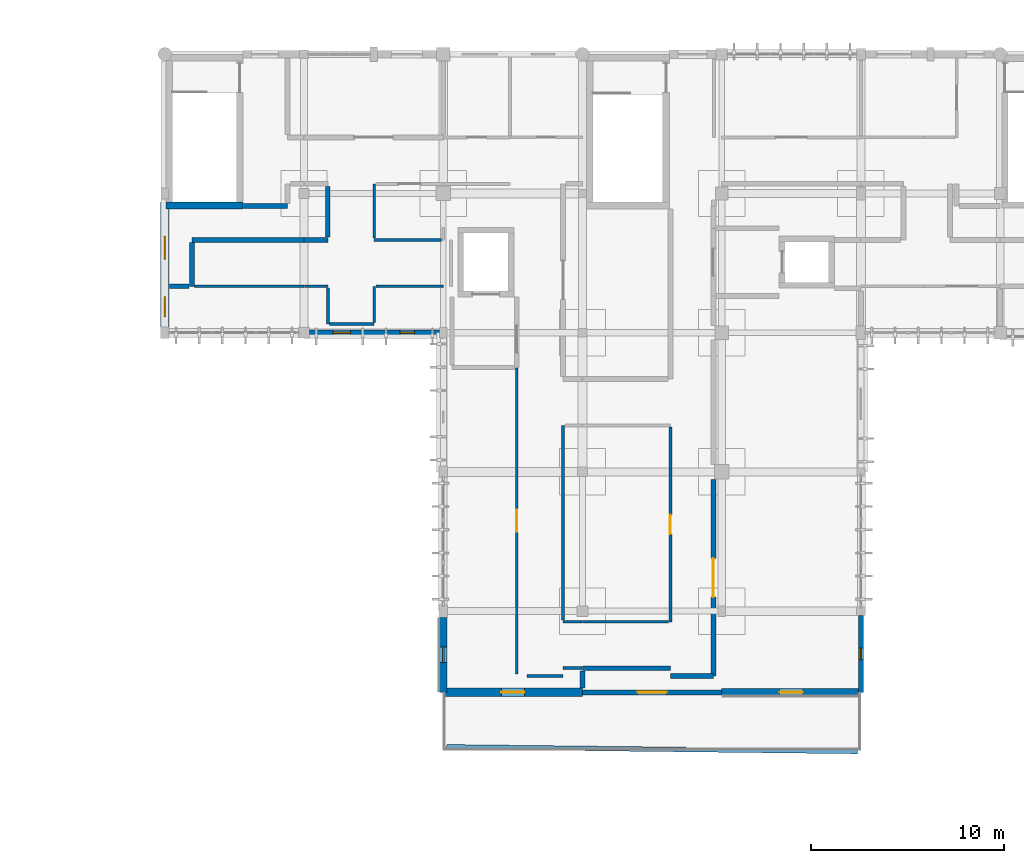
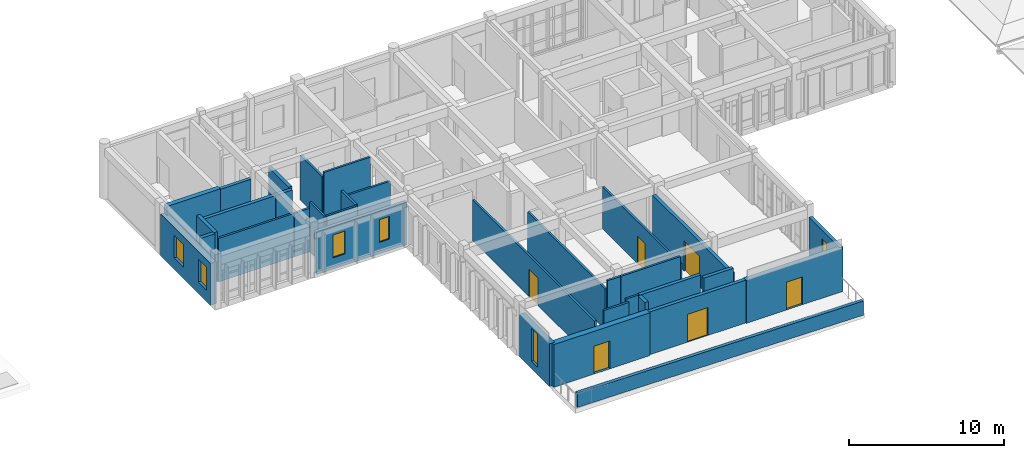
# One storey, part 14 of 19: 34 walls, 6 doors, 6 windows, 12 openings.
"""IFC4 building model written with IfcOpenShell, lengths in metres."""

from ifc_helpers import new_model, si_unit, direction, frame, frame_2d, origin, place, context, subcontext, project, spatial, rectangle, extrude, material, layer, layer_set, type_object, element, fill, save


model = new_model("IFC4")

# Units and contexts
model_context = context("Model", 3, precision=1e-05, world=origin(), true_north=direction((0.0, 1.0)))
body_context = subcontext(model_context, "Body", "Model", "MODEL_VIEW")
ifc_project = project(units=[si_unit("LENGTHUNIT", "METRE"), si_unit("AREAUNIT", "SQUARE_METRE"), si_unit("VOLUMEUNIT", "CUBIC_METRE"), si_unit("PLANEANGLEUNIT", "RADIAN"), si_unit("MASSUNIT", "GRAM", prefix="KILO")], contexts=[model_context])

# Site, building, storey
site_placement = place(None, origin())
site = spatial("IfcSite", under=ifc_project, at=site_placement, CompositionType="ELEMENT")
building_placement = place(site_placement, origin())
building = spatial("IfcBuilding", under=site, at=building_placement, Name="Steenspoor Specialist Clinic", CompositionType="ELEMENT")
storey_placement = place(building_placement, frame((0.0, 0.0, 21.60009765625)))
storey = spatial("IfcBuildingStorey", under=building, at=storey_placement, Name="L05", CompositionType="ELEMENT", Elevation=21.60009765625)

# Wall, opening, door
ifc_material_1 = material(Name="Extruded clay brick masonry", Category="masonry")
ifc_layer_1 = layer(ifc_material_1, 0.3798828125)
ifc_layer_set_1 = layer_set([ifc_layer_1], Name="Extruded clay brick masonry")
wall_type_1 = type_object("IfcWallType", Name="W-BRICK-380", PredefinedType="USERDEFINED", material=ifc_layer_set_1)
wall_1_placement = place(storey_placement, frame((95.60009765625, 75.35009765625, 0.0), z_axis=(0.0, 0.0, 1.0), x_axis=(-1.0, 0.0, 0.0)))
wall_1 = element("IfcWall", 1, at=wall_1_placement, inside=storey, type_object=wall_type_1, Name="Exterior Brick Wall EW-V4-L05-0213", ObjectType="CAVITY VENEER", PredefinedType="USERDEFINED", context=body_context, shape_type="SweptSolid", body=[
    extrude(rectangle(XDim=7.2001953125, YDim=0.3798828125, at=frame_2d((3.60009765625, 0.0))), origin(), (0.0, 0.0, 1.0), 3.3798828125),
])
opening_1_placement = place(wall_1_placement, frame((3.0, 0.0, 0.0)))
opening_1 = element("IfcOpeningElement", 2, at=opening_1_placement, cuts=wall_1, Name="Opening ED29", PredefinedType="OPENING", context=body_context, shape_type="SweptSolid", body=[
    extrude(rectangle(XDim=1.199951171875, YDim=2.199951171875, at=frame_2d((0.60009765625, 1.10009765625))), frame((0.0, 0.199951171875, 0.0), z_axis=(0.0, -1.0, 0.0), x_axis=(1.0, 0.0, 0.0)), (0.0, 0.0, 1.0), 0.39990234375),
])
ifc_material_2 = material(Name="Anodised aluminium and safety glass", Category="aluminium")
door_type_1 = type_object("IfcDoorType", Name="DT-TERR-120X220", OperationType="NOTDEFINED", PredefinedType="DOOR", material=ifc_material_2)
door_1_placement = place(opening_1_placement, origin())
door_1 = element("IfcDoor", 3, at=door_1_placement, inside=storey, type_object=door_type_1, Name="Roof Terrace Door ED29", OperationType="SINGLE_SWING_RIGHT", OverallHeight=2.199951171875, OverallWidth=1.199951171875, PredefinedType="DOOR", context=body_context, shape_type="SweptSolid", body=[
    extrude(rectangle(XDim=1.199951171875, YDim=2.199951171875, at=frame_2d((0.60009765625, 1.10009765625))), frame((0.0, 0.02490234375, 0.0), z_axis=(0.0, -1.0, 0.0), x_axis=(1.0, 0.0, 0.0)), (0.0, 0.0, 1.0), 0.050048828125),
])
fill(opening_1, door_1)

# Wall, opening, window
ifc_layer_2 = layer(ifc_material_1, 0.409912109375)
ifc_layer_set_2 = layer_set([ifc_layer_2], Name="Extruded clay brick masonry")
wall_type_2 = type_object("IfcWallType", Name="W-BRICK-410", PredefinedType="USERDEFINED", material=ifc_layer_set_2)
wall_2_placement = place(storey_placement, frame((74.0, 75.35009765625, 0.0), z_axis=(0.0, 0.0, 1.0), x_axis=(0.0, 1.0, 0.0)))
wall_2 = element("IfcWall", 4, at=wall_2_placement, inside=storey, type_object=wall_type_2, Name="Exterior Brick Wall EW-V4-L05-0216", ObjectType="CAVITY VENEER", PredefinedType="USERDEFINED", context=body_context, shape_type="SweptSolid", body=[
    extrude(rectangle(XDim=3.875, YDim=0.409912109375, at=frame_2d((1.9375, 0.0))), origin(), (0.0, 0.0, 1.0), 3.3798828125),
])
opening_2_placement = place(wall_2_placement, frame((1.53759765625, 0.0, 0.60009765625)))
opening_2 = element("IfcOpeningElement", 5, at=opening_2_placement, cuts=wall_2, Name="Opening WN-24", PredefinedType="OPENING", context=body_context, shape_type="SweptSolid", body=[
    extrude(rectangle(XDim=0.800048828125, YDim=2.60009765625, at=frame_2d((0.39990234375, 1.300048828125))), frame((0.0, 0.21484375, 0.0), z_axis=(0.0, -1.0, 0.0), x_axis=(1.0, 0.0, 0.0)), (0.0, 0.0, 1.0), 0.429931640625),
])
ifc_material_3 = material(Name="Thermally broken aluminium and low-emissivity glass", Category="aluminium")
window_type_1 = type_object("IfcWindowType", Name="WN-EXT-080X260", PartitioningType="SINGLE_PANEL", PredefinedType="WINDOW", material=ifc_material_3)
window_1_placement = place(opening_2_placement, origin())
window_1 = element("IfcWindow", 6, at=window_1_placement, inside=storey, type_object=window_type_1, Name="Window 0235", OverallHeight=2.60009765625, OverallWidth=0.800048828125, PartitioningType="SINGLE_PANEL", PredefinedType="WINDOW", context=body_context, shape_type="SweptSolid", body=[
    extrude(rectangle(XDim=0.800048828125, YDim=2.60009765625, at=frame_2d((0.39990234375, 1.300048828125))), frame((0.0, 0.030029296875, 0.0), z_axis=(0.0, -1.0, 0.0), x_axis=(1.0, 0.0, 0.0)), (0.0, 0.0, 1.0), 0.06005859375),
])
fill(opening_2, window_1)

# Wall, opening, door
ifc_layer_3 = layer(ifc_material_1, 0.43994140625)
ifc_layer_set_3 = layer_set([ifc_layer_3], Name="Extruded clay brick masonry")
wall_type_3 = type_object("IfcWallType", Name="W-BRICK-440", PredefinedType="USERDEFINED", material=ifc_layer_set_3)
wall_3_placement = place(storey_placement, frame((81.199951171875, 75.35009765625, 0.0), z_axis=(0.0, 0.0, 1.0), x_axis=(-1.0, 0.0, 0.0)))
wall_3 = element("IfcWall", 7, at=wall_3_placement, inside=storey, type_object=wall_type_3, Name="Exterior Brick Wall EW-V4-L05-0215", ObjectType="CAVITY VENEER", PredefinedType="USERDEFINED", context=body_context, shape_type="SweptSolid", body=[
    extrude(rectangle(XDim=7.199951171875, YDim=0.43994140625, at=frame_2d((3.60009765625, 0.0))), origin(), (0.0, 0.0, 1.0), 3.3798828125),
])
opening_3_placement = place(wall_3_placement, frame((3.0, 0.0, 0.0)))
opening_3 = element("IfcOpeningElement", 8, at=opening_3_placement, cuts=wall_3, Name="Opening ED31", PredefinedType="OPENING", context=body_context, shape_type="SweptSolid", body=[
    extrude(rectangle(XDim=1.199951171875, YDim=2.199951171875, at=frame_2d((0.60009765625, 1.10009765625))), frame((0.0, 0.22998046875, 0.0), z_axis=(0.0, -1.0, 0.0), x_axis=(1.0, 0.0, 0.0)), (0.0, 0.0, 1.0), 0.4599609375),
])
door_2_placement = place(opening_3_placement, origin())
door_2 = element("IfcDoor", 9, at=door_2_placement, inside=storey, type_object=door_type_1, Name="Roof Terrace Door ED31", OperationType="SINGLE_SWING_RIGHT", OverallHeight=2.199951171875, OverallWidth=1.199951171875, PredefinedType="DOOR", context=body_context, shape_type="SweptSolid", body=[
    extrude(rectangle(XDim=1.199951171875, YDim=2.199951171875, at=frame_2d((0.60009765625, 1.10009765625))), frame((0.0, 0.02490234375, 0.0), z_axis=(0.0, -1.0, 0.0), x_axis=(1.0, 0.0, 0.0)), (0.0, 0.0, 1.0), 0.050048828125),
])
fill(opening_3, door_2)

# Wall, openings, windows
wall_4_placement = place(storey_placement, frame((59.60009765625, 94.25, 0.0), z_axis=(0.0, 0.0, 1.0), x_axis=(0.0, 1.0, 0.0)))
wall_4 = element("IfcWall", 10, at=wall_4_placement, inside=storey, type_object=wall_type_3, Name="Exterior Brick Wall EW-V4-L05-0219", ObjectType="CAVITY VENEER", PredefinedType="USERDEFINED", context=body_context, shape_type="SweptSolid", body=[
    extrude(rectangle(XDim=6.449951171875, YDim=0.43994140625, at=frame_2d((3.22509765625, 0.0))), origin(), (0.0, 0.0, 1.0), 3.31982421875),
])
opening_4_placement = place(wall_4_placement, frame((0.514892578125, 0.0, 0.89990234375)))
opening_4 = element("IfcOpeningElement", 11, at=opening_4_placement, cuts=wall_4, Name="Opening WN-04", PredefinedType="OPENING", context=body_context, shape_type="SweptSolid", body=[
    extrude(rectangle(XDim=1.050048828125, YDim=1.800048828125, at=frame_2d((0.52490234375, 0.89990234375))), frame((0.0, 0.22998046875, 0.0), z_axis=(0.0, -1.0, 0.0), x_axis=(1.0, 0.0, 0.0)), (0.0, 0.0, 1.0), 0.4599609375),
])
opening_5_placement = place(wall_4_placement, frame((3.5, 0.0, 0.89990234375)))
opening_5 = element("IfcOpeningElement", 12, at=opening_5_placement, cuts=wall_4, Name="Opening WN-05", PredefinedType="OPENING", context=body_context, shape_type="SweptSolid", body=[
    extrude(rectangle(XDim=1.199951171875, YDim=1.800048828125, at=frame_2d((0.60009765625, 0.89990234375))), frame((0.0, 0.22998046875, 0.0), z_axis=(0.0, -1.0, 0.0), x_axis=(1.0, 0.0, 0.0)), (0.0, 0.0, 1.0), 0.4599609375),
])
window_type_2 = type_object("IfcWindowType", Name="WN-EXT-105X180", PartitioningType="SINGLE_PANEL", PredefinedType="WINDOW", material=ifc_material_3)
window_2_placement = place(opening_4_placement, origin())
window_2 = element("IfcWindow", 13, at=window_2_placement, inside=storey, type_object=window_type_2, Name="Window 0239", OverallHeight=1.800048828125, OverallWidth=1.050048828125, PartitioningType="SINGLE_PANEL", PredefinedType="WINDOW", context=body_context, shape_type="SweptSolid", body=[
    extrude(rectangle(XDim=1.050048828125, YDim=1.800048828125, at=frame_2d((0.52490234375, 0.89990234375))), frame((0.0, 0.030029296875, 0.0), z_axis=(0.0, -1.0, 0.0), x_axis=(1.0, 0.0, 0.0)), (0.0, 0.0, 1.0), 0.06005859375),
])
fill(opening_4, window_2)
window_type_3 = type_object("IfcWindowType", Name="WN-EXT-120X180", PartitioningType="SINGLE_PANEL", PredefinedType="WINDOW", material=ifc_material_3)
window_3_placement = place(opening_5_placement, origin())
window_3 = element("IfcWindow", 14, at=window_3_placement, inside=storey, type_object=window_type_3, Name="Window 0240", OverallHeight=1.800048828125, OverallWidth=1.199951171875, PartitioningType="SINGLE_PANEL", PredefinedType="WINDOW", context=body_context, shape_type="SweptSolid", body=[
    extrude(rectangle(XDim=1.199951171875, YDim=1.800048828125, at=frame_2d((0.60009765625, 0.89990234375))), frame((0.0, 0.030029296875, 0.0), z_axis=(0.0, -1.0, 0.0), x_axis=(1.0, 0.0, 0.0)), (0.0, 0.0, 1.0), 0.06005859375),
])
fill(opening_5, window_3)

# Walls
ifc_material_4 = material(Name="Gypsum acoustic clinical partition", Category="gypsum")
ifc_layer_4 = layer(ifc_material_4, 0.14990234375)
ifc_layer_set_4 = layer_set([ifc_layer_4], Name="Gypsum acoustic clinical partition")
wall_type_4 = type_object("IfcWallType", Name="W-CLIN-150", PredefinedType="PARTITIONING", material=ifc_layer_set_4)
wall_5_placement = place(storey_placement, frame((78.320068359375, 76.199951171875, 0.0), z_axis=(0.0, 0.0, 1.0), x_axis=(1.0, 0.0, 0.0)))
element("IfcWall", 15, at=wall_5_placement, inside=storey, type_object=wall_type_4, Name="Interior Partition IW-V4-L05-1972", PredefinedType="PARTITIONING", context=body_context, shape_type="SweptSolid", body=[
    extrude(rectangle(XDim=1.8798828125, YDim=0.14990234375, at=frame_2d((0.93994140625, 0.0))), origin(), (0.0, 0.0, 1.0), 3.949951171875),
])
wall_6_placement = place(storey_placement, frame((80.199951171875, 76.60009765625, 0.0), z_axis=(0.0, 0.0, 1.0), x_axis=(1.0, 0.0, 0.0)))
element("IfcWall", 16, at=wall_6_placement, inside=storey, type_object=wall_type_4, Name="Interior Partition IW-V4-L05-1973", PredefinedType="PARTITIONING", context=body_context, shape_type="SweptSolid", body=[
    extrude(rectangle(XDim=0.985107421875, YDim=0.14990234375, at=frame_2d((0.49267578125, 0.0))), origin(), (0.0, 0.0, 1.0), 3.949951171875),
])
wall_7_placement = place(storey_placement, frame((61.139892578125, 96.35009765625, 0.0), z_axis=(0.0, 0.0, 1.0), x_axis=(1.0, 0.0, 0.0)))
element("IfcWall", 17, at=wall_7_placement, inside=storey, type_object=wall_type_4, Name="Interior Partition IW-V4-L05-1974", PredefinedType="PARTITIONING", context=body_context, shape_type="SweptSolid", body=[
    extrude(rectangle(XDim=5.66015625, YDim=0.14990234375, at=frame_2d((2.830078125, 0.0))), origin(), (0.0, 0.0, 1.0), 3.43994140625),
])
wall_8_placement = place(storey_placement, frame((66.81494140625, 96.35009765625, 0.0), z_axis=(0.0, 0.0, 1.0), x_axis=(1.0, 0.0, 0.0)))
element("IfcWall", 18, at=wall_8_placement, inside=storey, type_object=wall_type_4, Name="Interior Partition IW-V4-L05-1975", PredefinedType="PARTITIONING", context=body_context, shape_type="SweptSolid", body=[
    extrude(rectangle(XDim=1.215087890625, YDim=0.14990234375, at=frame_2d((0.607421875, 0.0))), origin(), (0.0, 0.0, 1.0), 3.43994140625),
])
wall_9_placement = place(storey_placement, frame((68.030029296875, 94.39990234375, 0.0), z_axis=(0.0, 0.0, 1.0), x_axis=(0.0, 1.0, 0.0)))
element("IfcWall", 19, at=wall_9_placement, inside=storey, type_object=wall_type_4, Name="Interior Partition IW-V4-L05-1976", PredefinedType="PARTITIONING", context=body_context, shape_type="SweptSolid", body=[
    extrude(rectangle(XDim=1.860107421875, YDim=0.14990234375, at=frame_2d((0.93017578125, 0.0))), origin(), (0.0, 0.0, 1.0), 3.949951171875),
])
wall_10_placement = place(storey_placement, frame((68.1201171875, 94.39990234375, 0.0), z_axis=(0.0, 0.0, 1.0), x_axis=(1.0, 0.0, 0.0)))
element("IfcWall", 20, at=wall_10_placement, inside=storey, type_object=wall_type_4, Name="Interior Partition IW-V4-L05-1977", PredefinedType="PARTITIONING", context=body_context, shape_type="SweptSolid", body=[
    extrude(rectangle(XDim=2.309814453125, YDim=0.14990234375, at=frame_2d((1.15478515625, 0.0))), origin(), (0.0, 0.0, 1.0), 3.949951171875),
])
wall_11_placement = place(storey_placement, frame((70.429931640625, 94.489990234375, 0.0), z_axis=(0.0, 0.0, 1.0), x_axis=(0.0, 1.0, 0.0)))
element("IfcWall", 21, at=wall_11_placement, inside=storey, type_object=wall_type_4, Name="Interior Partition IW-V4-L05-1978", PredefinedType="PARTITIONING", context=body_context, shape_type="SweptSolid", body=[
    extrude(rectangle(XDim=1.860107421875, YDim=0.14990234375, at=frame_2d((0.93017578125, 0.0))), origin(), (0.0, 0.0, 1.0), 3.949951171875),
])
wall_12_placement = place(storey_placement, frame((70.52001953125, 96.35009765625, 0.0), z_axis=(0.0, 0.0, 1.0), x_axis=(1.0, 0.0, 0.0)))
element("IfcWall", 22, at=wall_12_placement, inside=storey, type_object=wall_type_4, Name="Interior Partition IW-V4-L05-1979", PredefinedType="PARTITIONING", context=body_context, shape_type="SweptSolid", body=[
    extrude(rectangle(XDim=3.47998046875, YDim=0.14990234375, at=frame_2d((1.739990234375, 0.0))), origin(), (0.0, 0.0, 1.0), 3.469970703125),
])

# Wall, opening, door
wall_13_placement = place(storey_placement, frame((77.800048828125, 76.31005859375, 0.0), z_axis=(0.0, 0.0, 1.0), x_axis=(0.0, 1.0, 0.0)))
wall_13 = element("IfcWall", 23, at=wall_13_placement, inside=storey, type_object=wall_type_4, Name="Interior Partition IW-V4-L05-1982", PredefinedType="PARTITIONING", context=body_context, shape_type="SweptSolid", body=[
    extrude(rectangle(XDim=15.824951171875, YDim=0.14990234375, at=frame_2d((7.91259765625, 0.0))), origin(), (0.0, 0.0, 1.0), 3.219970703125),
])
opening_6_placement = place(wall_13_placement, frame((7.33740234375, 0.0, 0.0)))
opening_6 = element("IfcOpeningElement", 24, at=opening_6_placement, cuts=wall_13, Name="Opening D0309", PredefinedType="OPENING", context=body_context, shape_type="SweptSolid", body=[
    extrude(rectangle(XDim=1.14990234375, YDim=2.14990234375, at=frame_2d((0.574951171875, 1.074951171875))), frame((0.0, 0.0849609375, 0.0), z_axis=(0.0, -1.0, 0.0), x_axis=(1.0, 0.0, 0.0)), (0.0, 0.0, 1.0), 0.169921875),
])
ifc_material_5 = material(Name="Solid-core hardwood clinical door", Category="wood")
door_type_2 = type_object("IfcDoorType", Name="DT-CONS-115X215", OperationType="NOTDEFINED", PredefinedType="DOOR", material=ifc_material_5)
door_3_placement = place(opening_6_placement, origin())
door_3 = element("IfcDoor", 25, at=door_3_placement, inside=storey, type_object=door_type_2, Name="Clinical Door D0309", OperationType="SINGLE_SWING_RIGHT", OverallHeight=2.14990234375, OverallWidth=1.14990234375, PredefinedType="DOOR", context=body_context, shape_type="SweptSolid", body=[
    extrude(rectangle(XDim=1.14990234375, YDim=2.14990234375, at=frame_2d((0.574951171875, 1.074951171875))), frame((0.0, 0.02490234375, 0.0), z_axis=(0.0, -1.0, 0.0), x_axis=(1.0, 0.0, 0.0)), (0.0, 0.0, 1.0), 0.050048828125),
])
fill(opening_6, door_3)

wall_14_placement = place(storey_placement, frame((85.75, 79.0, 0.0), z_axis=(0.0, 0.0, 1.0), x_axis=(0.0, 1.0, 0.0)))
wall_14 = element("IfcWall", 26, at=wall_14_placement, inside=storey, type_object=wall_type_4, Name="Interior Partition IW-V4-L05-1984", PredefinedType="PARTITIONING", context=body_context, shape_type="SweptSolid", body=[
    extrude(rectangle(XDim=10.06005859375, YDim=0.14990234375, at=frame_2d((5.030029296875, 0.0))), origin(), (0.0, 0.0, 1.0), 3.31982421875),
])
opening_7_placement = place(wall_14_placement, frame((4.530029296875, 0.0, 0.0)))
opening_7 = element("IfcOpeningElement", 27, at=opening_7_placement, cuts=wall_14, Name="Opening D0311", PredefinedType="OPENING", context=body_context, shape_type="SweptSolid", body=[
    extrude(rectangle(XDim=1.0, YDim=2.14990234375, at=frame_2d((0.5, 1.074951171875))), frame((0.0, 0.0849609375, 0.0), z_axis=(0.0, -1.0, 0.0), x_axis=(1.0, 0.0, 0.0)), (0.0, 0.0, 1.0), 0.169921875),
])
ifc_material_6 = material(Name="Moisture-resistant HPL accessible WC door", Category="wood")
door_type_3 = type_object("IfcDoorType", Name="DT-AWC-100X215", OperationType="NOTDEFINED", PredefinedType="DOOR", material=ifc_material_6)
door_4_placement = place(opening_7_placement, origin())
door_4 = element("IfcDoor", 28, at=door_4_placement, inside=storey, type_object=door_type_3, Name="Clinical Door D0311", OperationType="SINGLE_SWING_RIGHT", OverallHeight=2.14990234375, OverallWidth=1.0, PredefinedType="DOOR", context=body_context, shape_type="SweptSolid", body=[
    extrude(rectangle(XDim=1.0, YDim=2.14990234375, at=frame_2d((0.5, 1.074951171875))), frame((0.0, 0.02490234375, 0.0), z_axis=(0.0, -1.0, 0.0), x_axis=(1.0, 0.0, 0.0)), (0.0, 0.0, 1.0), 0.050048828125),
])
fill(opening_7, door_4)

# Walls
wall_15_placement = place(storey_placement, frame((81.199951171875, 79.0, 0.0), z_axis=(0.0, 0.0, 1.0), x_axis=(1.0, 0.0, 0.0)))
element("IfcWall", 29, at=wall_15_placement, inside=storey, type_object=wall_type_4, Name="Interior Partition IW-V4-L05-1985", PredefinedType="PARTITIONING", context=body_context, shape_type="SweptSolid", body=[
    extrude(rectangle(XDim=4.4599609375, YDim=0.14990234375, at=frame_2d((2.22998046875, 0.0))), origin(), (0.0, 0.0, 1.0), 3.949951171875),
])
wall_16_placement = place(storey_placement, frame((80.199951171875, 79.0, 0.0), z_axis=(0.0, 0.0, 1.0), x_axis=(1.0, 0.0, 0.0)))
element("IfcWall", 30, at=wall_16_placement, inside=storey, type_object=wall_type_4, Name="Interior Partition IW-V4-L05-1986", PredefinedType="PARTITIONING", context=body_context, shape_type="SweptSolid", body=[
    extrude(rectangle(XDim=0.985107421875, YDim=0.14990234375, at=frame_2d((0.49267578125, 0.0))), origin(), (0.0, 0.0, 1.0), 3.949951171875),
])
wall_17_placement = place(storey_placement, frame((80.199951171875, 79.090087890625, 0.0), z_axis=(0.0, 0.0, 1.0), x_axis=(0.0, 1.0, 0.0)))
element("IfcWall", 31, at=wall_17_placement, inside=storey, type_object=wall_type_4, Name="Interior Partition IW-V4-L05-1987", PredefinedType="PARTITIONING", context=body_context, shape_type="SweptSolid", body=[
    extrude(rectangle(XDim=10.059814453125, YDim=0.14990234375, at=frame_2d((5.02978515625, 0.0))), origin(), (0.0, 0.0, 1.0), 3.219970703125),
])
wall_18_placement = place(storey_placement, frame((70.429931640625, 98.75, 0.0), z_axis=(0.0, 0.0, 1.0), x_axis=(1.0, 0.0, 0.0)))
element("IfcWall", 32, at=wall_18_placement, inside=storey, type_object=wall_type_4, Name="Interior Partition IW-V4-L05-1991", PredefinedType="PARTITIONING", context=body_context, shape_type="SweptSolid", body=[
    extrude(rectangle(XDim=3.47998046875, YDim=0.14990234375, at=frame_2d((1.739990234375, 0.0))), origin(), (0.0, 0.0, 1.0), 3.949951171875),
])
wall_19_placement = place(storey_placement, frame((70.429931640625, 98.840087890625, 0.0), z_axis=(0.0, 0.0, 1.0), x_axis=(0.0, 1.0, 0.0)))
element("IfcWall", 33, at=wall_19_placement, inside=storey, type_object=wall_type_4, Name="Interior Partition IW-V4-L05-1992", PredefinedType="PARTITIONING", context=body_context, shape_type="SweptSolid", body=[
    extrude(rectangle(XDim=2.809814453125, YDim=0.14990234375, at=frame_2d((1.40478515625, 0.0))), origin(), (0.0, 0.0, 1.0), 3.539794921875),
])
ifc_layer_5 = layer(ifc_material_1, 0.239990234375)
ifc_layer_set_5 = layer_set([ifc_layer_5], Name="Extruded clay brick masonry")
wall_type_5 = type_object("IfcWallType", Name="W-PARAPET-240", PredefinedType="PARAPET", material=ifc_layer_set_5)
wall_20_placement = place(storey_placement, frame((74.179931640625, 72.530029296875, 0.0), z_axis=(0.0, 0.0, 1.0), x_axis=(0.999936172632, -0.011298259264, 0.0)))
element("IfcWall", 34, at=wall_20_placement, inside=storey, type_object=wall_type_5, Name="Terrace Brick Parapet V4 L05 1", PredefinedType="PARAPET", context=body_context, shape_type="SweptSolid", body=[
    extrude(rectangle(XDim=21.241455078125, YDim=0.239990234375, at=frame_2d((10.62060546875, 0.0))), origin(), (0.0, 0.0, 1.0), 1.119873046875),
])

# Wall, opening, door
ifc_layer_6 = layer(ifc_material_1, 0.260009765625)
ifc_layer_set_6 = layer_set([ifc_layer_6], Name="Extruded clay brick masonry")
wall_type_6 = type_object("IfcWallType", Name="W-SCREEN-260", PredefinedType="SOLIDWALL", material=ifc_layer_set_6)
wall_21_placement = place(storey_placement, frame((88.39990234375, 75.35009765625, 0.0), z_axis=(0.0, 0.0, 1.0), x_axis=(-1.0, 0.0, 0.0)))
wall_21 = element("IfcWall", 35, at=wall_21_placement, inside=storey, type_object=wall_type_6, Name="Exterior Brick Wall EW-V4-L05-0214", PredefinedType="SOLIDWALL", context=body_context, shape_type="SweptSolid", body=[
    extrude(rectangle(XDim=7.199951171875, YDim=0.260009765625, at=frame_2d((3.60009765625, 0.0))), origin(), (0.0, 0.0, 1.0), 3.3798828125),
])
opening_8_placement = place(wall_21_placement, frame((2.85009765625, 0.0, 0.0)))
opening_8 = element("IfcOpeningElement", 36, at=opening_8_placement, cuts=wall_21, Name="Opening ED30", PredefinedType="OPENING", context=body_context, shape_type="SweptSolid", body=[
    extrude(rectangle(XDim=1.5, YDim=2.199951171875, at=frame_2d((0.75, 1.10009765625))), frame((0.0, 0.14013671875, 0.0), z_axis=(0.0, -1.0, 0.0), x_axis=(1.0, 0.0, 0.0)), (0.0, 0.0, 1.0), 0.280029296875),
])
door_type_4 = type_object("IfcDoorType", Name="DT-TERR-150X220", OperationType="NOTDEFINED", PredefinedType="DOOR", material=ifc_material_2)
door_5_placement = place(opening_8_placement, origin())
door_5 = element("IfcDoor", 37, at=door_5_placement, inside=storey, type_object=door_type_4, Name="Roof Terrace Door ED30", OperationType="SINGLE_SWING_LEFT", OverallHeight=2.199951171875, OverallWidth=1.5, PredefinedType="DOOR", context=body_context, shape_type="SweptSolid", body=[
    extrude(rectangle(XDim=1.5, YDim=2.199951171875, at=frame_2d((0.75, 1.10009765625))), frame((0.0, 0.02490234375, 0.0), z_axis=(0.0, -1.0, 0.0), x_axis=(1.0, 0.0, 0.0)), (0.0, 0.0, 1.0), 0.050048828125),
])
fill(opening_8, door_5)

# Wall, openings, windows
wall_22_placement = place(storey_placement, frame((73.800048828125, 93.949951171875, 0.0), z_axis=(0.0, 0.0, 1.0), x_axis=(-1.0, 0.0, 0.0)))
wall_22 = element("IfcWall", 38, at=wall_22_placement, inside=storey, type_object=wall_type_6, Name="Exterior Brick Wall EW-V4-L05-0218", PredefinedType="SOLIDWALL", context=body_context, shape_type="SweptSolid", body=[
    extrude(rectangle(XDim=6.72509765625, YDim=0.260009765625, at=frame_2d((3.362548828125, 0.0))), origin(), (0.0, 0.0, 1.0), 3.369873046875),
])
opening_9_placement = place(wall_22_placement, frame((1.300048828125, 0.0, 0.89990234375)))
opening_9 = element("IfcOpeningElement", 39, at=opening_9_placement, cuts=wall_22, Name="Opening WN-02", PredefinedType="OPENING", context=body_context, shape_type="SweptSolid", body=[
    extrude(rectangle(XDim=0.75, YDim=1.800048828125, at=frame_2d((0.375, 0.89990234375))), frame((0.0, 0.14013671875, 0.0), z_axis=(0.0, -1.0, 0.0), x_axis=(1.0, 0.0, 0.0)), (0.0, 0.0, 1.0), 0.280029296875),
])
opening_10_placement = place(wall_22_placement, frame((4.607421875, 0.0, 0.89990234375)))
opening_10 = element("IfcOpeningElement", 40, at=opening_10_placement, cuts=wall_22, Name="Opening WN-03", PredefinedType="OPENING", context=body_context, shape_type="SweptSolid", body=[
    extrude(rectangle(XDim=0.89990234375, YDim=1.800048828125, at=frame_2d((0.449951171875, 0.89990234375))), frame((0.0, 0.14013671875, 0.0), z_axis=(0.0, -1.0, 0.0), x_axis=(1.0, 0.0, 0.0)), (0.0, 0.0, 1.0), 0.280029296875),
])
window_type_4 = type_object("IfcWindowType", Name="WN-EXT-075X180", PartitioningType="SINGLE_PANEL", PredefinedType="WINDOW", material=ifc_material_3)
window_4_placement = place(opening_9_placement, origin())
window_4 = element("IfcWindow", 41, at=window_4_placement, inside=storey, type_object=window_type_4, Name="Window 0237", OverallHeight=1.800048828125, OverallWidth=0.75, PartitioningType="SINGLE_PANEL", PredefinedType="WINDOW", context=body_context, shape_type="SweptSolid", body=[
    extrude(rectangle(XDim=0.75, YDim=1.800048828125, at=frame_2d((0.375, 0.89990234375))), frame((0.0, 0.030029296875, 0.0), z_axis=(0.0, -1.0, 0.0), x_axis=(1.0, 0.0, 0.0)), (0.0, 0.0, 1.0), 0.06005859375),
])
fill(opening_9, window_4)
window_type_5 = type_object("IfcWindowType", Name="WN-EXT-090X180", PartitioningType="SINGLE_PANEL", PredefinedType="WINDOW", material=ifc_material_3)
window_5_placement = place(opening_10_placement, origin())
window_5 = element("IfcWindow", 42, at=window_5_placement, inside=storey, type_object=window_type_5, Name="Window 0238", OverallHeight=1.800048828125, OverallWidth=0.89990234375, PartitioningType="SINGLE_PANEL", PredefinedType="WINDOW", context=body_context, shape_type="SweptSolid", body=[
    extrude(rectangle(XDim=0.89990234375, YDim=1.800048828125, at=frame_2d((0.449951171875, 0.89990234375))), frame((0.0, 0.030029296875, 0.0), z_axis=(0.0, -1.0, 0.0), x_axis=(1.0, 0.0, 0.0)), (0.0, 0.0, 1.0), 0.06005859375),
])
fill(opening_10, window_5)

# Wall, opening, window
wall_23_placement = place(storey_placement, frame((95.60009765625, 79.324951171875, 0.0), z_axis=(0.0, 0.0, 1.0), x_axis=(0.0, -1.0, 0.0)))
wall_23 = element("IfcWall", 43, at=wall_23_placement, inside=storey, type_object=wall_type_6, Name="Exterior Brick Wall EW-V4-L05-0230", PredefinedType="SOLIDWALL", context=body_context, shape_type="SweptSolid", body=[
    extrude(rectangle(XDim=3.974853515625, YDim=0.260009765625, at=frame_2d((1.9873046875, 0.0))), origin(), (0.0, 0.0, 1.0), 3.3798828125),
])
opening_11_placement = place(wall_23_placement, frame((1.6875, 0.0, 0.89990234375)))
opening_11 = element("IfcOpeningElement", 44, at=opening_11_placement, cuts=wall_23, Name="Opening WN-01", PredefinedType="OPENING", context=body_context, shape_type="SweptSolid", body=[
    extrude(rectangle(XDim=0.60009765625, YDim=1.800048828125, at=frame_2d((0.300048828125, 0.89990234375))), frame((0.0, 0.14013671875, 0.0), z_axis=(0.0, -1.0, 0.0), x_axis=(1.0, 0.0, 0.0)), (0.0, 0.0, 1.0), 0.280029296875),
])
window_type_6 = type_object("IfcWindowType", Name="WN-EXT-060X180", PartitioningType="SINGLE_PANEL", PredefinedType="WINDOW", material=ifc_material_3)
window_6_placement = place(opening_11_placement, origin())
window_6 = element("IfcWindow", 45, at=window_6_placement, inside=storey, type_object=window_type_6, Name="Window 0252", OverallHeight=1.800048828125, OverallWidth=0.60009765625, PartitioningType="SINGLE_PANEL", PredefinedType="WINDOW", context=body_context, shape_type="SweptSolid", body=[
    extrude(rectangle(XDim=0.60009765625, YDim=1.800048828125, at=frame_2d((0.300048828125, 0.89990234375))), frame((0.0, 0.030029296875, 0.0), z_axis=(0.0, -1.0, 0.0), x_axis=(1.0, 0.0, 0.0)), (0.0, 0.0, 1.0), 0.06005859375),
])
fill(opening_11, window_6)

# Walls
ifc_material_7 = material(Name="Fire-rated clay blockwork masonry", Category="masonry")
ifc_layer_7 = layer(ifc_material_7, 0.25)
ifc_layer_set_7 = layer_set([ifc_layer_7], Name="Fire-rated clay blockwork masonry")
wall_type_7 = type_object("IfcWallType", Name="W-SHAFT-250", PredefinedType="PARTITIONING", material=ifc_layer_set_7)
wall_24_placement = place(storey_placement, frame((81.199951171875, 76.60009765625, 0.0), z_axis=(0.0, 0.0, 1.0), x_axis=(1.0, 0.0, 0.0)))
element("IfcWall", 46, at=wall_24_placement, inside=storey, type_object=wall_type_7, Name="Interior Partition IW-V4-L05-1935", PredefinedType="PARTITIONING", context=body_context, shape_type="SweptSolid", body=[
    extrude(rectangle(XDim=4.550048828125, YDim=0.25, at=frame_2d((2.27490234375, 0.0))), origin(), (0.0, 0.0, 1.0), 3.949951171875),
])
wall_25_placement = place(storey_placement, frame((85.75, 76.199951171875, 0.0), z_axis=(0.0, 0.0, 1.0), x_axis=(1.0, 0.0, 0.0)))
element("IfcWall", 47, at=wall_25_placement, inside=storey, type_object=wall_type_7, Name="Interior Partition IW-V4-L05-1936", PredefinedType="PARTITIONING", context=body_context, shape_type="SweptSolid", body=[
    extrude(rectangle(XDim=2.219970703125, YDim=0.25, at=frame_2d((1.10986328125, 0.0))), origin(), (0.0, 0.0, 1.0), 3.949951171875),
])

# Wall, opening, door
wall_26_placement = place(storey_placement, frame((87.969970703125, 76.199951171875, 0.0), z_axis=(0.0, 0.0, 1.0), x_axis=(0.000168204534, 0.999999985854, 0.0)))
wall_26 = element("IfcWall", 48, at=wall_26_placement, inside=storey, type_object=wall_type_7, Name="Interior Partition IW-V4-L05-1937", PredefinedType="PARTITIONING", context=body_context, shape_type="SweptSolid", body=[
    extrude(rectangle(XDim=10.16015625, YDim=0.25, at=frame_2d((5.080078125, 0.0))), origin(), (0.0, 0.0, 1.0), 3.539794921875),
])
opening_12_placement = place(wall_26_placement, frame((4.080078125, 0.0, 0.0)))
opening_12 = element("IfcOpeningElement", 49, at=opening_12_placement, cuts=wall_26, Name="Opening D0310", PredefinedType="OPENING", context=body_context, shape_type="SweptSolid", body=[
    extrude(rectangle(XDim=2.0, YDim=2.39990234375, at=frame_2d((1.0, 1.199951171875))), frame((0.0, 0.135009765625, 0.0), z_axis=(0.0, -1.0, 0.0), x_axis=(1.0, 0.0, 0.0)), (0.0, 0.0, 1.0), 0.27001953125),
])
ifc_material_8 = material(Name="Fire-rated louvred steel plant door", Category="steel")
door_type_5 = type_object("IfcDoorType", Name="DT-PLANT-200X240", OperationType="NOTDEFINED", PredefinedType="DOOR", material=ifc_material_8)
door_6_placement = place(opening_12_placement, origin())
door_6 = element("IfcDoor", 50, at=door_6_placement, inside=storey, type_object=door_type_5, Name="Clinical Door D0310", OperationType="DOUBLE_DOOR_SINGLE_SWING", OverallHeight=2.39990234375, OverallWidth=2.0, PredefinedType="DOOR", context=body_context, shape_type="SweptSolid", body=[
    extrude(rectangle(XDim=2.0, YDim=2.39990234375, at=frame_2d((1.0, 1.199951171875))), frame((0.0, 0.02490234375, 0.0), z_axis=(0.0, -1.0, 0.0), x_axis=(1.0, 0.0, 0.0)), (0.0, 0.0, 1.0), 0.050048828125),
])
fill(opening_12, door_6)

# Walls
wall_27_placement = place(storey_placement, frame((66.800048828125, 98.75, 0.0), z_axis=(0.0, 0.0, 1.0), x_axis=(1.0, 0.0, 0.0)))
element("IfcWall", 51, at=wall_27_placement, inside=storey, type_object=wall_type_7, Name="Interior Partition IW-V4-L05-1961", PredefinedType="PARTITIONING", context=body_context, shape_type="SweptSolid", body=[
    extrude(rectangle(XDim=1.22998046875, YDim=0.25, at=frame_2d((0.614990234375, 0.0))), origin(), (0.0, 0.0, 1.0), 3.43994140625),
])
wall_28_placement = place(storey_placement, frame((61.0, 98.75, 0.0), z_axis=(0.0, 0.0, 1.0), x_axis=(1.0, 0.0, 0.0)))
element("IfcWall", 52, at=wall_28_placement, inside=storey, type_object=wall_type_7, Name="Interior Partition IW-V4-L05-1962", PredefinedType="PARTITIONING", context=body_context, shape_type="SweptSolid", body=[
    extrude(rectangle(XDim=5.784912109375, YDim=0.25, at=frame_2d((2.892578125, 0.0))), origin(), (0.0, 0.0, 1.0), 3.43994140625),
])
wall_29_placement = place(storey_placement, frame((61.0, 96.35009765625, 0.0), z_axis=(0.0, 0.0, 1.0), x_axis=(0.0, 1.0, 0.0)))
element("IfcWall", 53, at=wall_29_placement, inside=storey, type_object=wall_type_7, Name="Interior Partition IW-V4-L05-1963", PredefinedType="PARTITIONING", context=body_context, shape_type="SweptSolid", body=[
    extrude(rectangle(XDim=2.260009765625, YDim=0.25, at=frame_2d((1.1298828125, 0.0))), origin(), (0.0, 0.0, 1.0), 3.949951171875),
])
wall_30_placement = place(storey_placement, frame((63.6650390625, 100.5, 0.0), z_axis=(0.0, 0.0, 1.0), x_axis=(1.0, 0.0, 0.0)))
element("IfcWall", 54, at=wall_30_placement, inside=storey, type_object=wall_type_7, Name="Interior Partition IW-V4-L05-1967", PredefinedType="PARTITIONING", context=body_context, shape_type="SweptSolid", body=[
    extrude(rectangle(XDim=2.284912109375, YDim=0.25, at=frame_2d((1.142578125, 0.0))), origin(), (0.0, 0.0, 1.0), 3.949951171875),
])
wall_31_placement = place(storey_placement, frame((68.030029296875, 98.889892578125, 0.0), z_axis=(0.0, 0.0, 1.0), x_axis=(0.0, 1.0, 0.0)))
element("IfcWall", 55, at=wall_31_placement, inside=storey, type_object=wall_type_7, Name="Interior Partition IW-V4-L05-1971", PredefinedType="PARTITIONING", context=body_context, shape_type="SweptSolid", body=[
    extrude(rectangle(XDim=2.6201171875, YDim=0.25, at=frame_2d((1.31005859375, 0.0))), origin(), (0.0, 0.0, 1.0), 3.539794921875),
])
wall_32_placement = place(storey_placement, frame((81.199951171875, 75.5849609375, 0.0), z_axis=(0.0, 0.0, 1.0), x_axis=(0.0, 1.0, 0.0)))
element("IfcWall", 56, at=wall_32_placement, inside=storey, type_object=wall_type_7, Name="Interior Partition IW-V4-L05-2002", PredefinedType="PARTITIONING", context=body_context, shape_type="SweptSolid", body=[
    extrude(rectangle(XDim=0.875, YDim=0.25, at=frame_2d((0.4375, 0.0))), origin(), (0.0, 0.0, 1.0), 3.949951171875),
])
wall_33_placement = place(storey_placement, frame((59.8349609375, 96.35009765625, 0.0), z_axis=(0.0, 0.0, 1.0), x_axis=(1.0, 0.0, 0.0)))
element("IfcWall", 57, at=wall_33_placement, inside=storey, type_object=wall_type_7, Name="Interior Partition IW-V4-L05-2003", PredefinedType="PARTITIONING", context=body_context, shape_type="SweptSolid", body=[
    extrude(rectangle(XDim=1.025146484375, YDim=0.25, at=frame_2d((0.5126953125, 0.0))), origin(), (0.0, 0.0, 1.0), 3.949951171875),
])
ifc_material_9 = material(Name="Concrete C40/50", Category="concrete")
ifc_layer_8 = layer(ifc_material_9, 0.35009765625)
ifc_layer_set_8 = layer_set([ifc_layer_8], Name="Concrete C40/50")
wall_type_8 = type_object("IfcWallType", Name="W-SW-350", PredefinedType="SHEAR", material=ifc_layer_set_8)
wall_34_placement = place(storey_placement, frame((59.64990234375, 100.52490234375, 0.0), z_axis=(0.0, 0.0, 1.0), x_axis=(1.0, 0.0, 0.0)))
element("IfcWall", 58, at=wall_34_placement, inside=storey, type_object=wall_type_8, Name="Core Shear Wall SW-ST-V4A-L05-S", PredefinedType="SHEAR", context=body_context, shape_type="SweptSolid", body=[
    extrude(rectangle(XDim=4.0, YDim=0.35009765625, at=frame_2d((2.0, 0.0))), origin(), (0.0, 0.0, 1.0), 4.02001953125),
])

save(model, "model.ifc")
